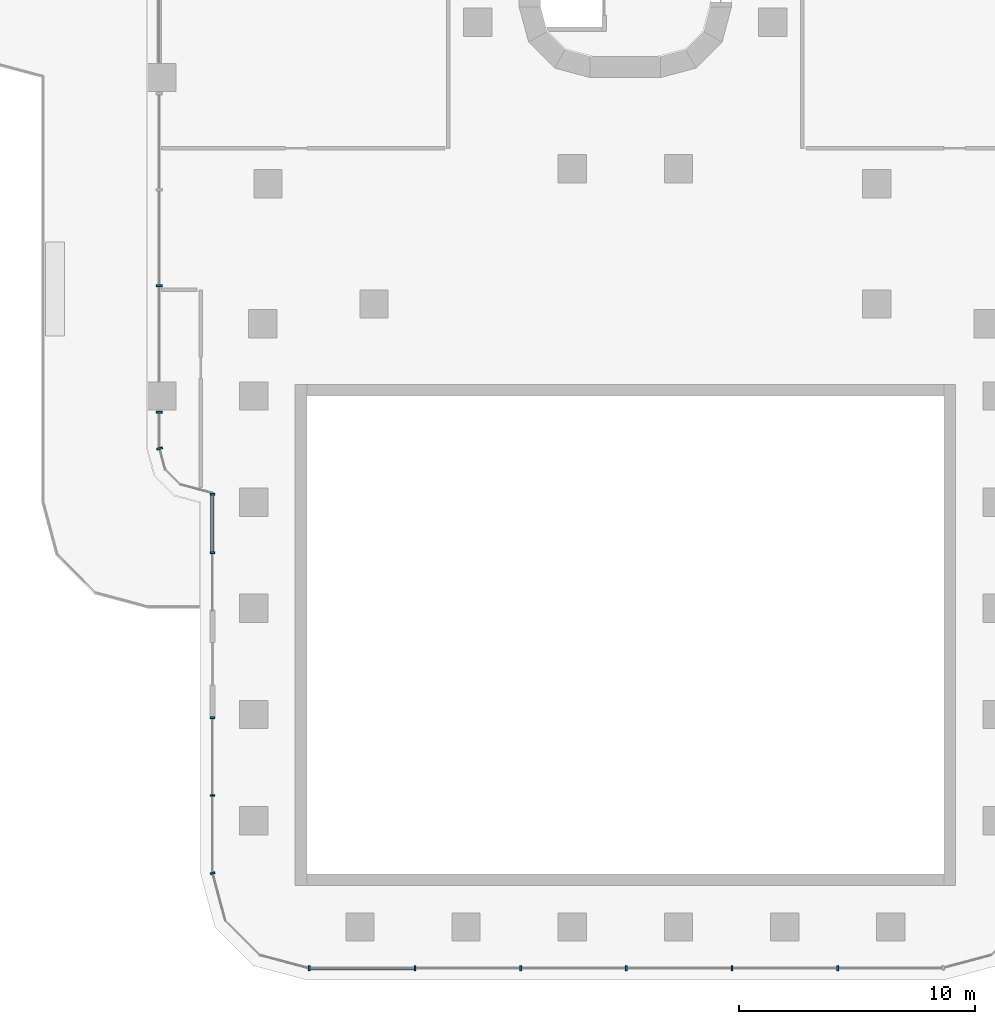
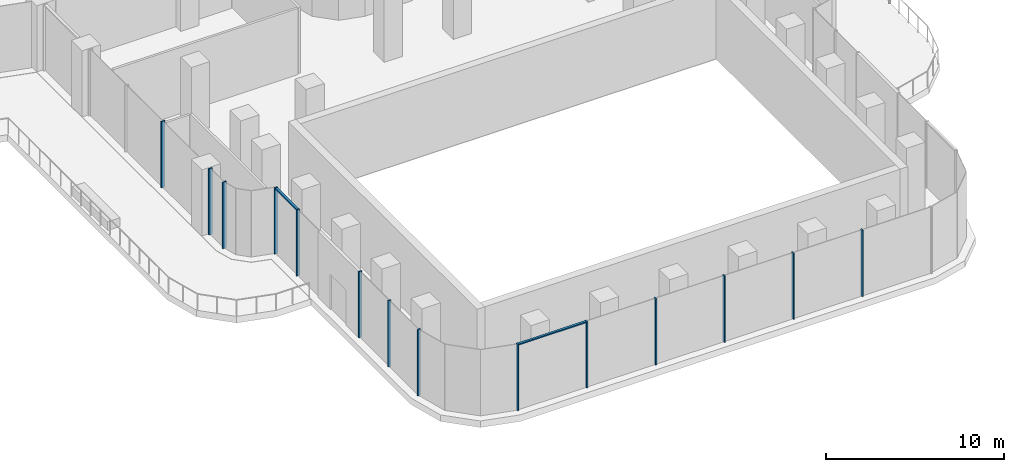
# One storey, part 2 of 29: 16 members, 5 elements without a shape of their own.
"""IFC4 building model written with IfcOpenShell, lengths in metres."""

from ifc_helpers import new_model, si_unit, direction, frame, origin, place, context, subcontext, project, spatial, polyline, outline, extrude, source, transform, mapped, material, type_object, element, aggregate, save


model = new_model("IFC4")

# Units and contexts
model_context = context("Model", 3, precision=1e-05, world=origin(), true_north=direction((0.0, 1.0)))
body_context = subcontext(model_context, "Body", "Model", "MODEL_VIEW")
ifc_project = project(units=[si_unit("LENGTHUNIT", "METRE"), si_unit("AREAUNIT", "SQUARE_METRE"), si_unit("VOLUMEUNIT", "CUBIC_METRE"), si_unit("PLANEANGLEUNIT", "RADIAN"), si_unit("MASSUNIT", "GRAM", prefix="KILO")], contexts=[model_context])

# Site, building, storey
site_placement = place(None, origin())
site = spatial("IfcSite", under=ifc_project, at=site_placement, CompositionType="ELEMENT")
building_placement = place(site_placement, origin())
building = spatial("IfcBuilding", under=site, at=building_placement, Name="Zarbagh Exchange Tower", CompositionType="ELEMENT")
storey_placement = place(building_placement, frame((0.0, 0.0, 12.0)))
storey = spatial("IfcBuildingStorey", under=building, at=storey_placement, Name="L02", CompositionType="ELEMENT", Elevation=12.0)

# Curtain wall, members
ifc_material_1 = material(Name="Anodised aluminium frame and glazing", Category="aluminium")
curtain_wall_type_1 = type_object("IfcCurtainWallType", Name="CWD Exchange hall wall glazing", PredefinedType="NOTDEFINED", material=ifc_material_1)
curtain_wall_1_placement = place(storey_placement, origin())
curtain_wall_1 = element("IfcCurtainWall", 1, at=curtain_wall_1_placement, inside=storey, type_object=curtain_wall_type_1, Name="CWD09 curtain wall", PredefinedType="NOTDEFINED")
ifc_material_2 = material(Name="Anodised aluminium frame", Category="aluminium")
member_type_1 = type_object("IfcMemberType", Name="MUD Mullion, anodised aluminium frame", PredefinedType="MULLION", material=ifc_material_2)
shared_shape_1 = source(origin(), body_context, "Body", "SweptSolid", [
    extrude(outline(polyline([(0.0, -0.10009765625), (0.080078125, -0.10009765625), (0.080078125, 0.10009765625), (0.0, 0.10009765625), (0.0, -0.10009765625)])), origin(), (0.0, 0.0, 1.0), 4.550048828125),
])
placement = place(storey_placement, origin())
member_1 = element("IfcMember", 2, at=placement, type_object=member_type_1, Name="CWD09 mullion 1.1", PredefinedType="MULLION", context=body_context, shape_type="MappedRepresentation", body=[
    mapped(shared_shape_1, transform((-13.43408203125, -67.0, 0.0), x_axis=(1.0, 0.0, 0.0), y_axis=(0.0, 1.0, 0.0), z_axis=(0.0, 0.0, 1.0))),
])
member_2 = element("IfcMember", 3, at=placement, type_object=member_type_1, Name="CWD09 mullion 1.2", PredefinedType="MULLION", context=body_context, shape_type="MappedRepresentation", body=[
    mapped(shared_shape_1, transform((-8.9560546875, -67.0, 0.0), x_axis=(1.0, 0.0, 0.0), y_axis=(0.0, 1.0, 0.0), z_axis=(0.0, 0.0, 1.0))),
])
member_3 = element("IfcMember", 4, at=placement, type_object=member_type_1, Name="CWD09 mullion 1.3", PredefinedType="MULLION", context=body_context, shape_type="MappedRepresentation", body=[
    mapped(shared_shape_1, transform((-4.47802734375, -67.0, 0.0), x_axis=(1.0, 0.0, 0.0), y_axis=(0.0, 1.0, 0.0), z_axis=(0.0, 0.0, 1.0))),
])
member_4 = element("IfcMember", 5, at=placement, type_object=member_type_1, Name="CWD09 mullion 1.4", PredefinedType="MULLION", context=body_context, shape_type="MappedRepresentation", body=[
    mapped(shared_shape_1, transform((0.0, -67.0, 0.0), x_axis=(1.0, 0.0, 0.0), y_axis=(0.0, 1.0, 0.0), z_axis=(0.0, 0.0, 1.0))),
])
member_5 = element("IfcMember", 6, at=placement, type_object=member_type_1, Name="CWD09 mullion 1.5", PredefinedType="MULLION", context=body_context, shape_type="MappedRepresentation", body=[
    mapped(shared_shape_1, transform((4.47802734375, -67.0, 0.0), x_axis=(1.0, 0.0, 0.0), y_axis=(0.0, 1.0, 0.0), z_axis=(0.0, 0.0, 1.0))),
])
member_6 = element("IfcMember", 7, at=placement, type_object=member_type_1, Name="CWD09 mullion 1.6", PredefinedType="MULLION", context=body_context, shape_type="MappedRepresentation", body=[
    mapped(shared_shape_1, transform((8.9560546875, -67.0, 0.0), x_axis=(1.0, 0.0, 0.0), y_axis=(0.0, 1.0, 0.0), z_axis=(0.0, 0.0, 1.0))),
])

curtain_wall_2_placement = place(storey_placement, origin())
curtain_wall_2 = element("IfcCurtainWall", 8, at=curtain_wall_2_placement, inside=storey, type_object=curtain_wall_type_1, Name="CWD13 curtain wall", PredefinedType="NOTDEFINED")
member_7 = element("IfcMember", 9, at=placement, type_object=member_type_1, Name="CWD13 mullion 1.1", PredefinedType="MULLION", context=body_context, shape_type="MappedRepresentation", body=[
    mapped(shared_shape_1, transform((-17.5, -46.8662109375, 0.0), x_axis=(0.0, -1.0, 0.0), y_axis=(1.0, 0.0, 0.0), z_axis=(0.0, 0.0, 1.0))),
])
member_8 = element("IfcMember", 10, at=placement, type_object=member_type_1, Name="CWD13 mullion 1.2", PredefinedType="MULLION", context=body_context, shape_type="MappedRepresentation", body=[
    mapped(shared_shape_1, transform((-17.5, -49.358154296875, 0.0), x_axis=(0.0, -1.0, 0.0), y_axis=(1.0, 0.0, 0.0), z_axis=(0.0, 0.0, 1.0))),
])
member_9 = element("IfcMember", 11, at=placement, type_object=member_type_1, Name="CWD13 mullion 2.1", PredefinedType="MULLION", context=body_context, shape_type="MappedRepresentation", body=[
    mapped(shared_shape_1, transform((-17.5, -56.350341796875, 0.0), x_axis=(0.0, -1.0, 0.0), y_axis=(1.0, 0.0, 0.0), z_axis=(0.0, 0.0, 1.0))),
])
member_10 = element("IfcMember", 12, at=placement, type_object=member_type_1, Name="CWD13 mullion 2.2", PredefinedType="MULLION", context=body_context, shape_type="MappedRepresentation", body=[
    mapped(shared_shape_1, transform((-17.5, -59.64208984375, 0.0), x_axis=(0.0, -1.0, 0.0), y_axis=(1.0, 0.0, 0.0), z_axis=(0.0, 0.0, 1.0))),
])

# Curtain wall, member
curtain_wall_3_placement = place(storey_placement, origin())
curtain_wall_3 = element("IfcCurtainWall", 13, at=curtain_wall_3_placement, inside=storey, type_object=curtain_wall_type_1, Name="CWD06 curtain wall", PredefinedType="NOTDEFINED")
member_11 = element("IfcMember", 14, at=placement, type_object=member_type_1, Name="CWD06 mullion 1.1", PredefinedType="MULLION", context=body_context, shape_type="MappedRepresentation", body=[
    mapped(shared_shape_1, transform((-17.5, -62.93408203125, 0.0), x_axis=(0.258824779902, -0.965924289636, 0.0), y_axis=(0.965924289636, 0.258824779902, 0.0), z_axis=(0.0, 0.0, 1.0))),
])
aggregate(curtain_wall_3, [member_11])

# Curtain wall, members
curtain_wall_type_2 = type_object("IfcCurtainWallType", Name="CWC Podium garden-wall glazing", PredefinedType="NOTDEFINED", material=ifc_material_1)
curtain_wall_4_placement = place(storey_placement, origin())
curtain_wall_4 = element("IfcCurtainWall", 15, at=curtain_wall_4_placement, inside=storey, type_object=curtain_wall_type_2, Name="CWC142 curtain wall", PredefinedType="NOTDEFINED")
member_type_2 = type_object("IfcMemberType", Name="MUC Mullion, anodised aluminium frame", PredefinedType="MULLION", material=ifc_material_2)
shared_shape_2 = source(origin(), body_context, "Body", "SweptSolid", [
    extrude(outline(polyline([(0.0, -0.125), (0.080078125, -0.125), (0.080078125, 0.125), (0.0, 0.125), (0.0, -0.125)])), origin(), (0.0, 0.0, 1.0), 4.550048828125),
])
member_12 = element("IfcMember", 16, at=placement, type_object=member_type_2, Name="CWC142 mullion 2.3", PredefinedType="MULLION", context=body_context, shape_type="MappedRepresentation", body=[
    mapped(shared_shape_2, transform((-19.75, -38.03662109375, 0.0), x_axis=(0.0, -1.0, 0.0), y_axis=(1.0, 0.0, 0.0), z_axis=(0.0, 0.0, 1.0))),
])
member_13 = element("IfcMember", 17, at=placement, type_object=member_type_2, Name="CWC142 mullion 3.1", PredefinedType="MULLION", context=body_context, shape_type="MappedRepresentation", body=[
    mapped(shared_shape_2, transform((-19.75, -43.39013671875, 0.0), x_axis=(0.0, -1.0, 0.0), y_axis=(1.0, 0.0, 0.0), z_axis=(0.0, 0.0, 1.0))),
])
aggregate(curtain_wall_4, [member_12, member_13])

# Curtain wall, member
curtain_wall_5_placement = place(storey_placement, origin())
curtain_wall_5 = element("IfcCurtainWall", 18, at=curtain_wall_5_placement, inside=storey, type_object=curtain_wall_type_2, Name="CWC143 curtain wall", PredefinedType="NOTDEFINED")
member_14 = element("IfcMember", 19, at=placement, type_object=member_type_2, Name="CWC143 mullion 1.1", PredefinedType="MULLION", context=body_context, shape_type="MappedRepresentation", body=[
    mapped(shared_shape_2, transform((-19.75, -44.93408203125, 0.0), x_axis=(0.25878472492, -0.965935021701, 0.0), y_axis=(0.965935021701, 0.25878472492, 0.0), z_axis=(0.0, 0.0, 1.0))),
])
aggregate(curtain_wall_5, [member_14])

# Member
member_type_3 = type_object("IfcMemberType", Name="TRD Transom, anodised aluminium frame", PredefinedType="USERDEFINED", material=ifc_material_2)
shared_shape_3 = source(origin(), body_context, "Body", "SweptSolid", [
    extrude(outline(polyline([(-0.080078125, -0.074951171875), (0.0, -0.074951171875), (0.0, 0.074951171875), (-0.080078125, 0.074951171875), (-0.080078125, -0.074951171875)])), origin(), (0.0, 0.0, 1.0), 4.39794921875),
])
member_15 = element("IfcMember", 20, at=placement, type_object=member_type_3, Name="CWD09 transom 1.1", ObjectType="TRANSOM", PredefinedType="USERDEFINED", context=body_context, shape_type="MappedRepresentation", body=[
    mapped(shared_shape_3, transform((-13.354248046875, -67.0, 4.550048828125), x_axis=(0.0, 0.0, 1.0), y_axis=(0.0, -1.0, 0.0), z_axis=(1.0, 0.0, 0.0))),
])

aggregate(curtain_wall_1, [member_1, member_15, member_2, member_3, member_4, member_5, member_6])

shared_shape_4 = source(origin(), body_context, "Body", "SweptSolid", [
    extrude(outline(polyline([(-0.080078125, -0.074951171875), (0.0, -0.074951171875), (0.0, 0.074951171875), (-0.080078125, 0.074951171875), (-0.080078125, -0.074951171875)])), origin(), (0.0, 0.0, 1.0), 2.411865234375),
])
member_16 = element("IfcMember", 21, at=placement, type_object=member_type_3, Name="CWD13 transom 1.1", ObjectType="TRANSOM", PredefinedType="USERDEFINED", context=body_context, shape_type="MappedRepresentation", body=[
    mapped(shared_shape_4, transform((-17.5, -46.9462890625, 4.550048828125), x_axis=(0.0, 0.0, 1.0), y_axis=(-1.0, 0.0, 0.0), z_axis=(0.0, -1.0, 0.0))),
])

aggregate(curtain_wall_2, [member_7, member_16, member_8, member_9, member_10])

save(model, "model.ifc")
